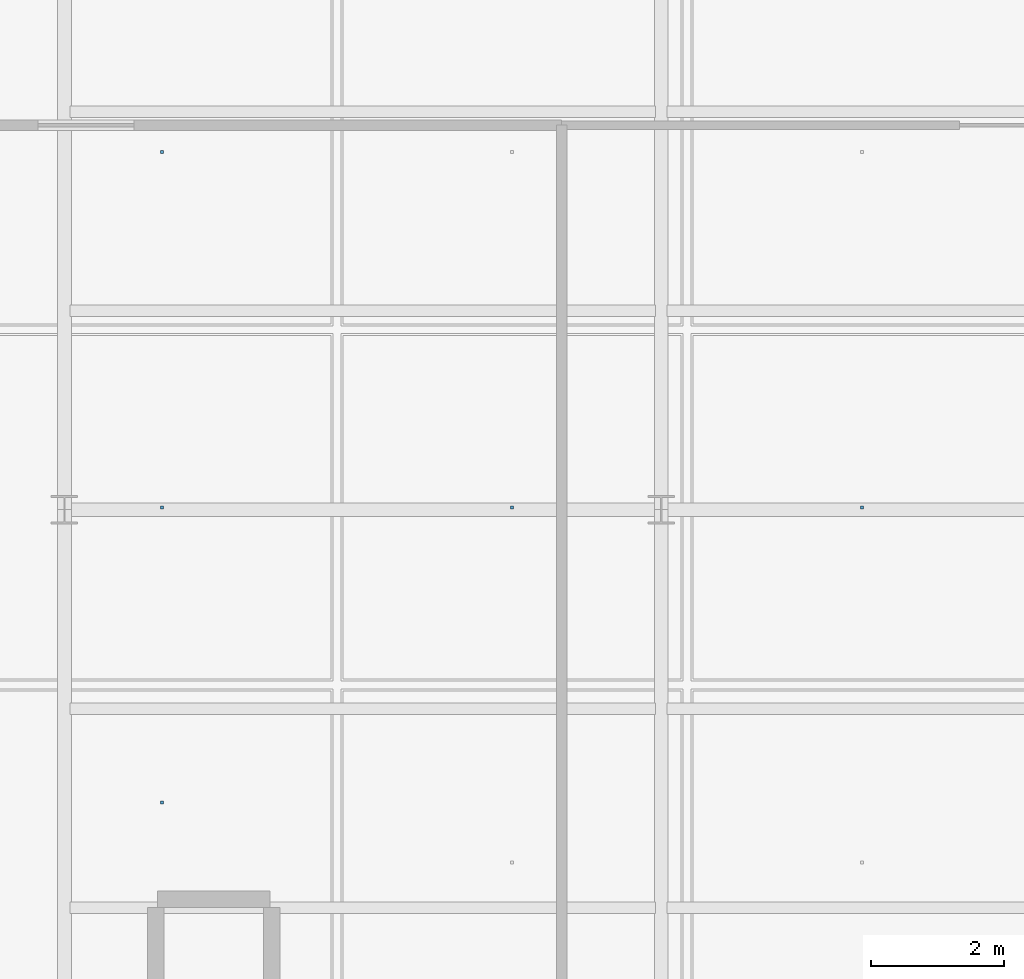
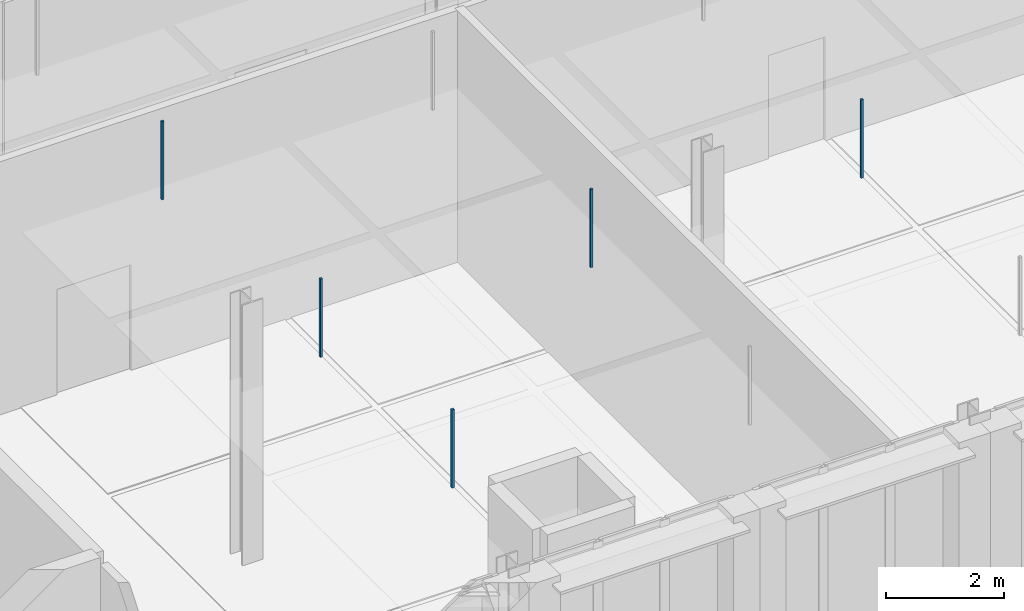
# One storey, part 156 of 180: 5 discrete accessories.
"""IFC4 building model written with IfcOpenShell, lengths in metres."""

from ifc_helpers import new_model, si_unit, direction, frame, origin, origin_2d, place, context, subcontext, project, spatial, rectangle, extrude, material, type_object, element, save


model = new_model("IFC4")

# Units and contexts
model_context = context("Model", 3, precision=1e-05, world=origin(), true_north=direction((0.0, 1.0)))
body_context = subcontext(model_context, "Body", "Model", "MODEL_VIEW")
ifc_project = project(units=[si_unit("LENGTHUNIT", "METRE"), si_unit("AREAUNIT", "SQUARE_METRE"), si_unit("VOLUMEUNIT", "CUBIC_METRE"), si_unit("PLANEANGLEUNIT", "RADIAN"), si_unit("MASSUNIT", "GRAM", prefix="KILO"), si_unit("THERMODYNAMICTEMPERATUREUNIT", "KELVIN"), si_unit("POWERUNIT", "WATT")], contexts=[model_context])

# Site, building, storey
site_placement = place(None, origin())
site = spatial("IfcSite", under=ifc_project, at=site_placement, CompositionType="ELEMENT")
building_placement = place(site_placement, origin())
building = spatial("IfcBuilding", under=site, at=building_placement, Name="Tallowbark Science Centre", CompositionType="ELEMENT")
storey_placement = place(building_placement, origin())
storey = spatial("IfcBuildingStorey", under=building, at=storey_placement, Name="L00", CompositionType="ELEMENT", Elevation=0.0)

# Discrete accessories
ifc_material = material(Name="Galvanised Steel Grade C350L0 (350 MPa)", Category="steel")
discrete_accessory_type = type_object("IfcDiscreteAccessoryType", Name="ACC-CLG-HNG", PredefinedType="BRACKET", material=ifc_material)
for number, where, z_axis, x_axis, name in (
    (1, (131.97216796875, 76.58349609375, 3.60595703125), (0.0, 0.0, 1.0), (1.0, 0.0, 0.0), "Ceiling Hanger Bracket L00-427"),
    (2, (131.97216796875, 81.03564453125, 3.60595703125), (0.0, 0.0, 1.0), (1.0, 0.0, 0.0), "Ceiling Hanger Bracket L00-428"),
    (3, (131.97216796875, 86.392822265625, 3.60595703125), (0.0, 0.0, 1.0), (1.0, 0.0, 0.0), "Ceiling Hanger Bracket L00-429"),
    (4, (137.25, 81.03564453125, 3.60595703125), (0.0, 0.0, 1.0), (1.0, 0.0, 0.0), "Ceiling Hanger Bracket L00-435"),
    (5, (142.52783203125, 81.03564453125, 3.60595703125), (0.0, 0.0, 1.0), (1.0, 0.0, 0.0), "Ceiling Hanger Bracket L00-440"),
):
    element("IfcDiscreteAccessory", number, at=place(storey_placement, frame(where, z_axis=z_axis, x_axis=x_axis)), inside=storey, type_object=discrete_accessory_type, Name=name, PredefinedType="BRACKET", context=body_context, shape_type="SweptSolid", body=[
        extrude(rectangle(XDim=0.044921875, YDim=0.044921875, at=origin_2d()), origin(), (0.0, 0.0, 1.0), 1.616943359375),
    ])

save(model, "model.ifc")
